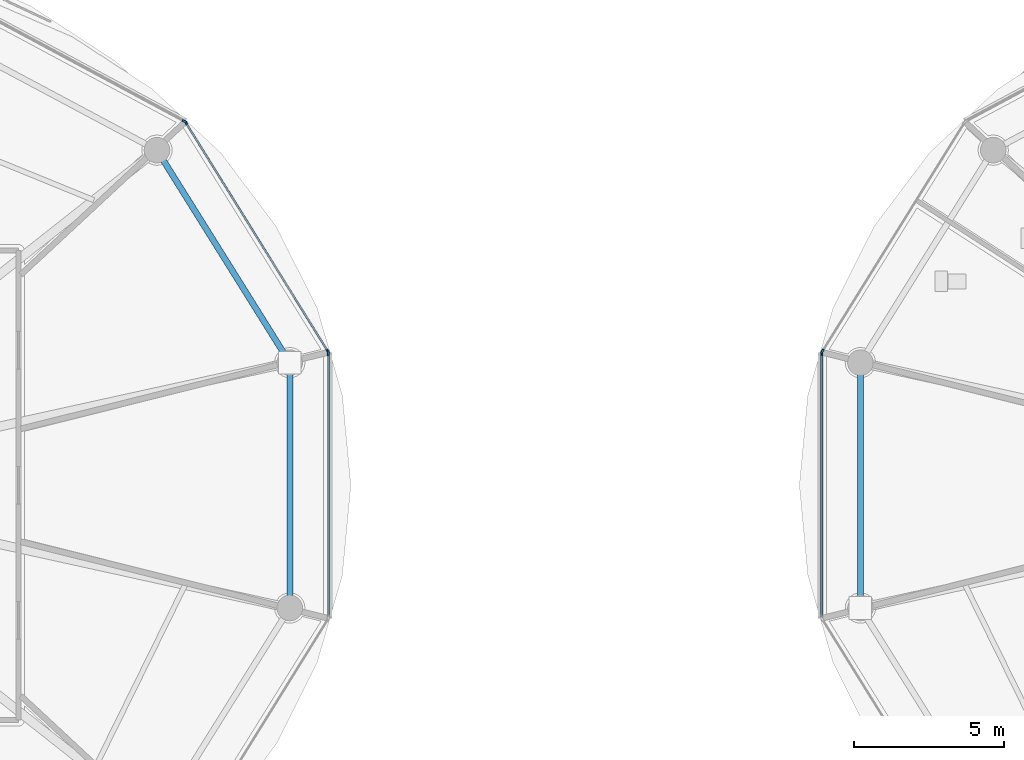
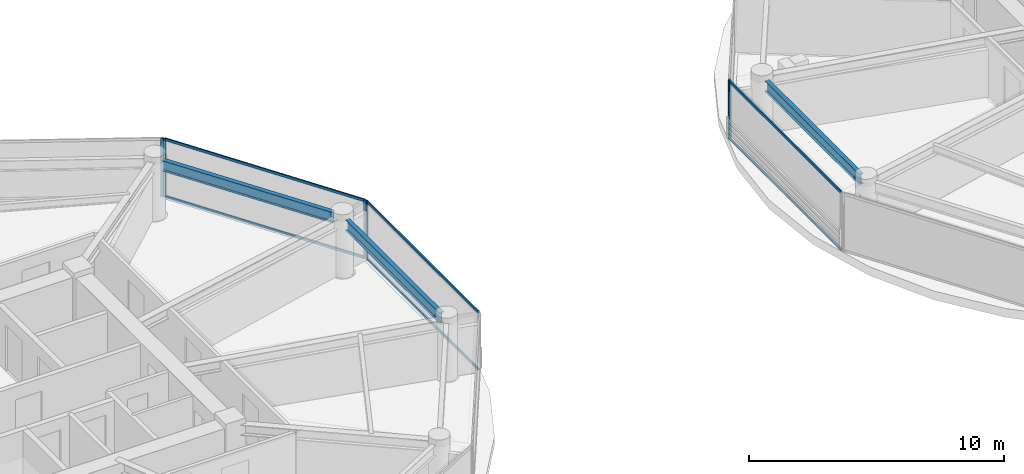
# One storey, part 7 of 32: 12 members, 3 beams, 5 elements without a shape of their own.
"""IFC4 building model written with IfcOpenShell, lengths in metres."""

from ifc_helpers import new_model, si_unit, direction, frame, origin, origin_2d, place, context, subcontext, project, spatial, rectangle, i_section, extrude, source, transform, mapped, material, layer, layer_set, material_profile, profile_set, type_object, type_shapes, element, aggregate, save


model = new_model("IFC4")

# Units and contexts
model_context = context("Model", 3, precision=1e-05, world=origin(), true_north=direction((0.0, 1.0)))
body_context = subcontext(model_context, "Body", "Model", "MODEL_VIEW")
ifc_project = project(units=[si_unit("LENGTHUNIT", "METRE"), si_unit("AREAUNIT", "SQUARE_METRE"), si_unit("VOLUMEUNIT", "CUBIC_METRE"), si_unit("PLANEANGLEUNIT", "RADIAN"), si_unit("MASSUNIT", "GRAM", prefix="KILO")], contexts=[model_context])

# Site, building, storey
site_placement = place(None, origin())
site = spatial("IfcSite", under=ifc_project, at=site_placement, CompositionType="ELEMENT")
building_placement = place(site_placement, origin())
building = spatial("IfcBuilding", under=site, at=building_placement, Name="Norrkilde Senior Care Towers", CompositionType="ELEMENT")
storey_placement = place(building_placement, frame((0.0, 0.0, 77.949951171875)))
storey = spatial("IfcBuildingStorey", under=building, at=storey_placement, Name="L23", CompositionType="ELEMENT", Elevation=77.949951171875)

# Beams
ifc_material_1 = material(Name="Steel S355", Category="steel")
ifc_material_profile_1 = material_profile(ifc_material_1, i_section(OverallWidth=0.199951171875, OverallDepth=0.5, WebThickness=0.01025390625, FlangeThickness=0.01611328125, FilletRadius=0.02099609375, at=origin_2d()), Name="IPE 500")
ifc_profile_set_1 = profile_set([ifc_material_profile_1], Name="Steel S355")
beam_type = type_object("IfcBeamType", Name="Perimeter Ring Spandrel Z2 IPE500", PredefinedType="SPANDREL", material=ifc_profile_set_1)
shared_shape_1 = source(origin(), body_context, "Body", "SweptSolid", [
    extrude(i_section(OverallWidth=0.199951171875, OverallDepth=0.5, WebThickness=0.01025390625, FlangeThickness=0.01611328125, FilletRadius=0.02099609375, at=origin_2d()), origin(), (0.0, 0.0, 1.0), 7.55615234375),
])
beam_placement = place(storey_placement, frame((-9.68505859375, 4.40283203125, 2.5400390625), z_axis=(-0.529981514254, 0.848009194849, 0.0), x_axis=(-0.848009194849, -0.529981514254, 0.0)))
element("IfcBeam", 1, at=beam_placement, inside=storey, type_object=beam_type, Name="L23 Drum W Perimeter Spandrel 01", PredefinedType="SPANDREL", context=body_context, shape_type="MappedRepresentation", body=[
    mapped(shared_shape_1, transform((0.0, 0.0, 0.0), x_axis=(1.0, 0.0, 0.0), y_axis=(0.0, 1.0, 0.0), z_axis=(0.0, 0.0, 1.0), scale=1.0)),
])
shared_shape_2 = source(origin(), body_context, "Body", "SweptSolid", [
    extrude(i_section(OverallWidth=0.199951171875, OverallDepth=0.5, WebThickness=0.01025390625, FlangeThickness=0.01611328125, FilletRadius=0.02099609375, at=origin_2d()), origin(), (0.0, 0.0, 1.0), 7.3828125),
])
type_shapes(beam_type, [shared_shape_1, shared_shape_2])
for number, where, z_axis, x_axis, name in (
    (2, (-9.48095703125, -3.69140625, 2.5400390625), (0.0, 1.0, 0.0), (-1.0, 0.0, 0.0), "L23 Drum W Perimeter Spandrel 12"),
    (3, (9.48095703125, 3.69140625, 2.5400390625), (0.0, -1.0, 0.0), (1.0, 0.0, 0.0), "L23 Drum E Perimeter Spandrel 06"),
):
    element("IfcBeam", number, at=place(storey_placement, frame(where, z_axis=z_axis, x_axis=x_axis)), inside=storey, type_object=beam_type, Name=name, PredefinedType="SPANDREL", context=body_context, shape_type="MappedRepresentation", body=[
        mapped(shared_shape_2, transform((0.0, 0.0, 0.0), x_axis=(1.0, 0.0, 0.0), y_axis=(0.0, 1.0, 0.0), z_axis=(0.0, 0.0, 1.0), scale=1.0)),
    ])

# Curtain wall, members
ifc_material_2 = material(Name="Triple Low-E Insulated Glazing", Category="glass")
ifc_layer = layer(ifc_material_2, 0.195068359375)
ifc_layer_set = layer_set([ifc_layer], Name="Triple Low-E Insulated Glazing")
curtain_wall_type = type_object("IfcCurtainWallType", Name="CW3 Zone 2 Assisted Living Curtain Wall", PredefinedType="NOTDEFINED", material=ifc_layer_set)
curtain_wall_1_placement = place(storey_placement, origin())
curtain_wall_1 = element("IfcCurtainWall", 4, at=curtain_wall_1_placement, inside=storey, type_object=curtain_wall_type, Name="L23 Drum W Curtain Wall 00", PredefinedType="NOTDEFINED")
ifc_material_3 = material(Name="Anodised Aluminium", Category="aluminium")
ifc_material_profile_2 = material_profile(ifc_material_3, rectangle(XDim=0.06494140625, YDim=0.159912109375, at=origin_2d()), Name="ALU MULL 65x160")
ifc_profile_set_2 = profile_set([ifc_material_profile_2], Name="Anodised Aluminium")
member_type_1 = type_object("IfcMemberType", Name="Curtain Wall Mullion Z1-Z2 65x160", PredefinedType="MULLION", material=ifc_profile_set_2)
shared_shape_3 = source(origin(), body_context, "Body", "SweptSolid", [
    extrude(rectangle(XDim=0.06494140625, YDim=0.159912109375, at=origin_2d()), origin(), (0.0, 0.0, 1.0), 2.7900390625),
])
type_shapes(member_type_1, [shared_shape_3])
member_1_placement = place(storey_placement, frame((-12.936279296875, 12.0498046875, 0.0), z_axis=(0.0, 0.0, 1.0), x_axis=(0.849410171862, 0.527733228002, 0.0)))
member_1 = element("IfcMember", 5, at=member_1_placement, type_object=member_type_1, Name="CW-3 mullion 1", PredefinedType="MULLION", context=body_context, shape_type="MappedRepresentation", body=[
    mapped(shared_shape_3, transform((0.0, 0.0, 0.0), x_axis=(1.0, 0.0, 0.0), y_axis=(0.0, 1.0, 0.0), z_axis=(0.0, 0.0, 1.0), scale=1.0)),
])
member_2_placement = place(storey_placement, frame((-8.21337890625, 4.4482421875, 0.0), z_axis=(0.0, 0.0, 1.0), x_axis=(0.849410171862, 0.527733228002, 0.0)))
member_2 = element("IfcMember", 6, at=member_2_placement, type_object=member_type_1, Name="CW-3 mullion 2", PredefinedType="MULLION", context=body_context, shape_type="MappedRepresentation", body=[
    mapped(shared_shape_3, transform((0.0, 0.0, 0.0), x_axis=(1.0, 0.0, 0.0), y_axis=(0.0, 1.0, 0.0), z_axis=(0.0, 0.0, 1.0), scale=1.0)),
])

# Curtain wall, member
curtain_wall_2_placement = place(storey_placement, origin())
curtain_wall_2 = element("IfcCurtainWall", 7, at=curtain_wall_2_placement, inside=storey, type_object=curtain_wall_type, Name="L23 Drum W Curtain Wall 01", PredefinedType="NOTDEFINED")
member_3_placement = place(storey_placement, frame((-12.98193359375, 12.0927734375, 0.0), z_axis=(0.0, 0.0, 1.0), x_axis=(0.472769402511, 0.881186184668, 0.0)))
member_3 = element("IfcMember", 8, at=member_3_placement, type_object=member_type_1, Name="CW-3 mullion 2", PredefinedType="MULLION", context=body_context, shape_type="MappedRepresentation", body=[
    mapped(shared_shape_3, transform((0.0, 0.0, 0.0), x_axis=(1.0, 0.0, 0.0), y_axis=(0.0, 1.0, 0.0), z_axis=(0.0, 0.0, 1.0), scale=1.0)),
])
aggregate(curtain_wall_2, [member_3])

curtain_wall_3_placement = place(storey_placement, origin())
curtain_wall_3 = element("IfcCurtainWall", 9, at=curtain_wall_3_placement, inside=storey, type_object=curtain_wall_type, Name="L23 Drum W Curtain Wall 11", PredefinedType="NOTDEFINED")
member_4_placement = place(storey_placement, frame((-8.1962890625, 4.38818359375, 0.0), z_axis=(0.0, 0.0, 1.0), x_axis=(1.0, 0.0, 0.0)))
member_4 = element("IfcMember", 10, at=member_4_placement, type_object=member_type_1, Name="CW-3 mullion 1", PredefinedType="MULLION", context=body_context, shape_type="MappedRepresentation", body=[
    mapped(shared_shape_3, transform((0.0, 0.0, 0.0), x_axis=(1.0, 0.0, 0.0), y_axis=(0.0, 1.0, 0.0), z_axis=(0.0, 0.0, 1.0), scale=1.0)),
])

curtain_wall_4_placement = place(storey_placement, origin())
curtain_wall_4 = element("IfcCurtainWall", 11, at=curtain_wall_4_placement, inside=storey, type_object=curtain_wall_type, Name="L23 Drum E Curtain Wall 04", PredefinedType="NOTDEFINED")
member_5_placement = place(storey_placement, frame((8.21337890625, 4.4482421875, 0.0), z_axis=(0.0, 0.0, 1.0), x_axis=(-0.849410171862, 0.527733228002, 0.0)))
member_5 = element("IfcMember", 12, at=member_5_placement, type_object=member_type_1, Name="CW-3 mullion 1", PredefinedType="MULLION", context=body_context, shape_type="MappedRepresentation", body=[
    mapped(shared_shape_3, transform((0.0, 0.0, 0.0), x_axis=(1.0, 0.0, 0.0), y_axis=(0.0, 1.0, 0.0), z_axis=(0.0, 0.0, 1.0), scale=1.0)),
])
aggregate(curtain_wall_4, [member_5])

curtain_wall_5_placement = place(storey_placement, origin())
curtain_wall_5 = element("IfcCurtainWall", 13, at=curtain_wall_5_placement, inside=storey, type_object=curtain_wall_type, Name="L23 Drum E Curtain Wall 05", PredefinedType="NOTDEFINED")
member_6_placement = place(storey_placement, frame((8.1962890625, 4.38818359375, 0.0), z_axis=(0.0, 0.0, 1.0), x_axis=(-1.0, 0.0, 0.0)))
member_6 = element("IfcMember", 14, at=member_6_placement, type_object=member_type_1, Name="CW-3 mullion 2", PredefinedType="MULLION", context=body_context, shape_type="MappedRepresentation", body=[
    mapped(shared_shape_3, transform((0.0, 0.0, 0.0), x_axis=(1.0, 0.0, 0.0), y_axis=(0.0, 1.0, 0.0), z_axis=(0.0, 0.0, 1.0), scale=1.0)),
])

# Member
ifc_material_profile_3 = material_profile(ifc_material_3, rectangle(XDim=0.06005859375, YDim=0.1201171875, at=origin_2d()), Name="ALU TRAN 60x120")
ifc_profile_set_3 = profile_set([ifc_material_profile_3], Name="Anodised Aluminium")
member_type_2 = type_object("IfcMemberType", Name="Curtain Wall Transom Typical 60x120", PredefinedType="USERDEFINED", material=ifc_profile_set_3)
shared_shape_4 = source(origin(), body_context, "Body", "SweptSolid", [
    extrude(rectangle(XDim=0.06005859375, YDim=0.1201171875, at=origin_2d()), origin(), (0.0, 0.0, 1.0), 8.88427734375),
])
member_7_placement = place(storey_placement, frame((-12.919189453125, 12.022216796875, 0.030029296875), z_axis=(0.527749293309, -0.849400190377, 0.0), x_axis=(0.849400190377, 0.527749293309, 0.0)))
member_7 = element("IfcMember", 15, at=member_7_placement, type_object=member_type_2, Name="CW-3 transom 1.1", ObjectType="TRANSOM", PredefinedType="USERDEFINED", context=body_context, shape_type="MappedRepresentation", body=[
    mapped(shared_shape_4, transform((0.0, 0.0, 0.0), x_axis=(1.0, 0.0, 0.0), y_axis=(0.0, 1.0, 0.0), z_axis=(0.0, 0.0, 1.0), scale=1.0)),
])

member_8_placement = place(storey_placement, frame((-12.919189453125, 12.022216796875, 2.760009765625), z_axis=(0.527749293309, -0.849400190377, 0.0), x_axis=(0.849400190377, 0.527749293309, 0.0)))
member_8 = element("IfcMember", 16, at=member_8_placement, type_object=member_type_2, Name="CW-3 transom 1.2", ObjectType="TRANSOM", PredefinedType="USERDEFINED", context=body_context, shape_type="MappedRepresentation", body=[
    mapped(shared_shape_4, transform((0.0, 0.0, 0.0), x_axis=(1.0, 0.0, 0.0), y_axis=(0.0, 1.0, 0.0), z_axis=(0.0, 0.0, 1.0), scale=1.0)),
])

aggregate(curtain_wall_1, [member_1, member_2, member_7, member_8])

shared_shape_5 = source(origin(), body_context, "Body", "SweptSolid", [
    extrude(rectangle(XDim=0.06005859375, YDim=0.1201171875, at=origin_2d()), origin(), (0.0, 0.0, 1.0), 8.71142578125),
])
type_shapes(member_type_2, [shared_shape_4, shared_shape_5])
member_9_placement = place(storey_placement, frame((-8.1962890625, 4.355712890625, 0.030029296875), z_axis=(0.0, -1.0, 0.0), x_axis=(1.0, 0.0, 0.0)))
member_9 = element("IfcMember", 17, at=member_9_placement, type_object=member_type_2, Name="CW-3 transom 1.1", ObjectType="TRANSOM", PredefinedType="USERDEFINED", context=body_context, shape_type="MappedRepresentation", body=[
    mapped(shared_shape_5, transform((0.0, 0.0, 0.0), x_axis=(1.0, 0.0, 0.0), y_axis=(0.0, 1.0, 0.0), z_axis=(0.0, 0.0, 1.0), scale=1.0)),
])

member_10_placement = place(storey_placement, frame((-8.1962890625, 4.355712890625, 2.760009765625), z_axis=(0.0, -1.0, 0.0), x_axis=(1.0, 0.0, 0.0)))
member_10 = element("IfcMember", 18, at=member_10_placement, type_object=member_type_2, Name="CW-3 transom 1.2", ObjectType="TRANSOM", PredefinedType="USERDEFINED", context=body_context, shape_type="MappedRepresentation", body=[
    mapped(shared_shape_5, transform((0.0, 0.0, 0.0), x_axis=(1.0, 0.0, 0.0), y_axis=(0.0, 1.0, 0.0), z_axis=(0.0, 0.0, 1.0), scale=1.0)),
])

aggregate(curtain_wall_3, [member_4, member_9, member_10])

member_11_placement = place(storey_placement, frame((8.1962890625, -4.355712890625, 0.030029296875), z_axis=(0.0, 1.0, 0.0), x_axis=(-1.0, 0.0, 0.0)))
member_11 = element("IfcMember", 19, at=member_11_placement, type_object=member_type_2, Name="CW-3 transom 1.1", ObjectType="TRANSOM", PredefinedType="USERDEFINED", context=body_context, shape_type="MappedRepresentation", body=[
    mapped(shared_shape_5, transform((0.0, 0.0, 0.0), x_axis=(1.0, 0.0, 0.0), y_axis=(0.0, 1.0, 0.0), z_axis=(0.0, 0.0, 1.0), scale=1.0)),
])

member_12_placement = place(storey_placement, frame((8.1962890625, -4.355712890625, 2.760009765625), z_axis=(0.0, 1.0, 0.0), x_axis=(-1.0, 0.0, 0.0)))
member_12 = element("IfcMember", 20, at=member_12_placement, type_object=member_type_2, Name="CW-3 transom 1.2", ObjectType="TRANSOM", PredefinedType="USERDEFINED", context=body_context, shape_type="MappedRepresentation", body=[
    mapped(shared_shape_5, transform((0.0, 0.0, 0.0), x_axis=(1.0, 0.0, 0.0), y_axis=(0.0, 1.0, 0.0), z_axis=(0.0, 0.0, 1.0), scale=1.0)),
])

aggregate(curtain_wall_5, [member_6, member_11, member_12])

save(model, "model.ifc")
